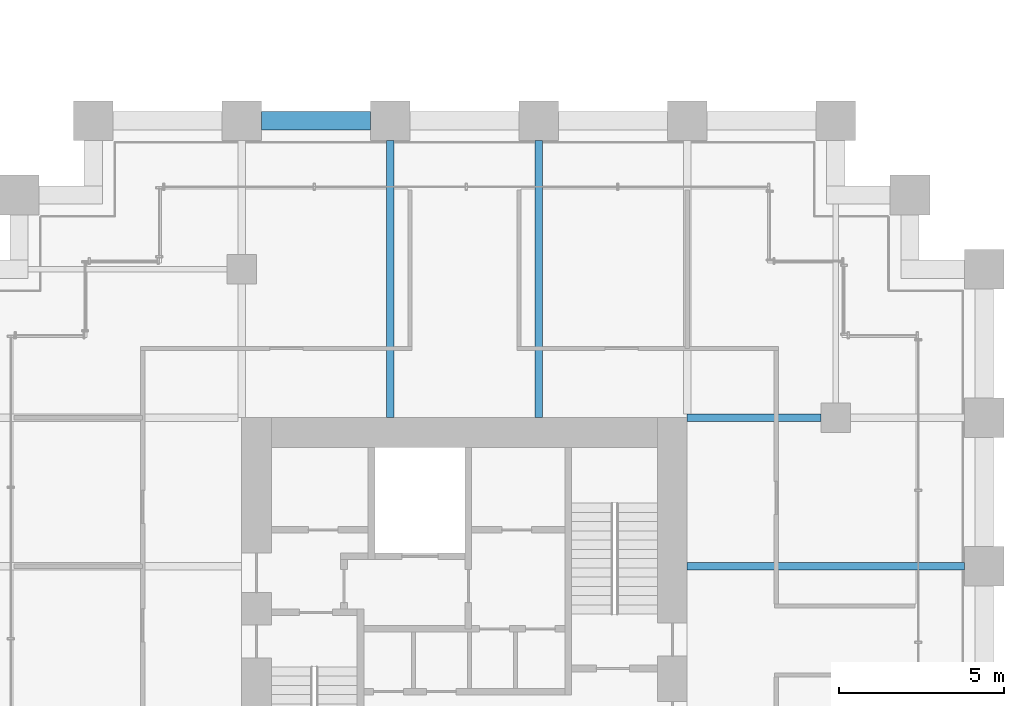
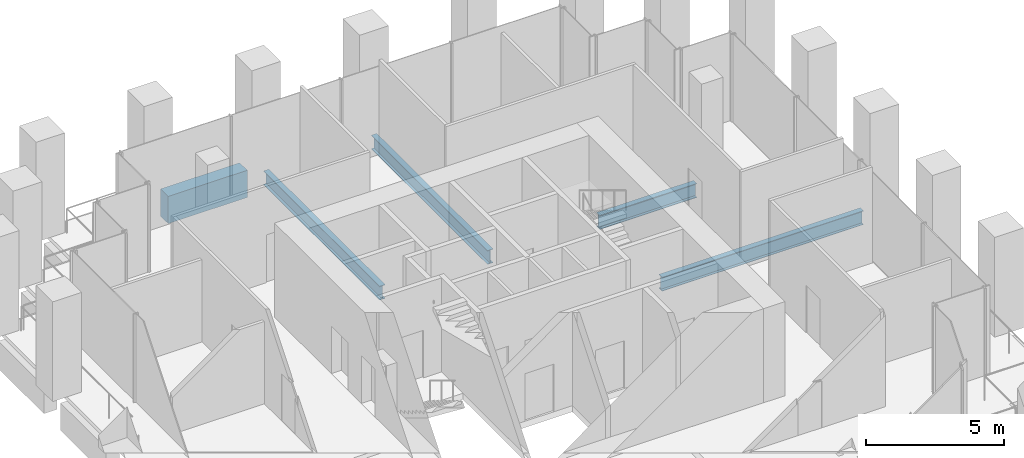
# One storey, part 24 of 36: 5 beams.
"""IFC4 building model written with IfcOpenShell, lengths in metres."""

from ifc_helpers import new_model, si_unit, direction, frame, origin, origin_2d, place, context, subcontext, project, spatial, rectangle, i_section, extrude, material, material_profile, profile_set, type_object, element, save


model = new_model("IFC4")

# Units and contexts
model_context = context("Model", 3, precision=1e-05, world=origin(), true_north=direction((0.0, 1.0)))
body_context = subcontext(model_context, "Body", "Model", "MODEL_VIEW")
ifc_project = project(units=[si_unit("LENGTHUNIT", "METRE"), si_unit("AREAUNIT", "SQUARE_METRE"), si_unit("VOLUMEUNIT", "CUBIC_METRE"), si_unit("PLANEANGLEUNIT", "RADIAN"), si_unit("MASSUNIT", "GRAM", prefix="KILO")], contexts=[model_context])

# Site, building, storey
site_placement = place(None, origin())
site = spatial("IfcSite", under=ifc_project, at=site_placement, CompositionType="ELEMENT")
building_placement = place(site_placement, origin())
building = spatial("IfcBuilding", under=site, at=building_placement, Name="Altepetl Exchange Towers", CompositionType="ELEMENT")
storey_placement = place(building_placement, frame((0.0, 0.0, 43.0)))
storey = spatial("IfcBuildingStorey", under=building, at=storey_placement, Name="L09", CompositionType="ELEMENT", Elevation=43.0)

# Beams
ifc_material_1 = material(Name="Steel S355", Category="steel")
ifc_material_profile_1 = material_profile(ifc_material_1, i_section(OverallWidth=0.22900390625, OverallDepth=0.612060546875, WebThickness=0.011962890625, FlangeThickness=0.01953125, at=origin_2d()), Name="W24X84")
ifc_profile_set_1 = profile_set([ifc_material_profile_1], Name="Steel S355")
beam_type_1 = type_object("IfcBeamType", Name="Floor beam W24X84", PredefinedType="BEAM", material=ifc_profile_set_1)
for number, where, z_axis, x_axis, name in (
    (1, (108.0, 49.5, -0.48095703125), (0.0, 1.0, 0.0), (-1.0, 0.0, 0.0), "bm:B:L09:000"),
    (2, (112.5, 49.5, -0.48095703125), (0.0, 1.0, 0.0), (-1.0, 0.0, 0.0), "bm:B:L09:001"),
    (3, (117.0, 45.0, -0.48095703125), (1.0, 0.0, 0.0), (0.0, 1.0, 0.0), "bm:B:L09:007"),
):
    element("IfcBeam", number, at=place(storey_placement, frame(where, z_axis=z_axis, x_axis=x_axis)), inside=storey, type_object=beam_type_1, Name=name, PredefinedType="BEAM", context=body_context, shape_type="SweptSolid", body=[
        extrude(i_section(OverallWidth=0.22900390625, OverallDepth=0.612060546875, WebThickness=0.011962890625, FlangeThickness=0.01953125, at=origin_2d()), origin(), (0.0, 0.0, 1.0), 8.39990234375),
    ])
ifc_material_profile_2 = material_profile(ifc_material_1, i_section(OverallWidth=0.22900390625, OverallDepth=0.623046875, WebThickness=0.013916015625, FlangeThickness=0.02490234375, at=origin_2d()), Name="W24X103")
ifc_profile_set_2 = profile_set([ifc_material_profile_2], Name="Steel S355")
beam_type_2 = type_object("IfcBeamType", Name="Girder W24X103", PredefinedType="BEAM", material=ifc_profile_set_2)
beam_1_placement = place(storey_placement, frame((117.0, 49.5, -0.486572265625), z_axis=(1.0, 0.0, 0.0), x_axis=(0.0, 1.0, 0.0)))
element("IfcBeam", 4, at=beam_1_placement, inside=storey, type_object=beam_type_2, Name="gd:B:L09:000", PredefinedType="BEAM", context=body_context, shape_type="SweptSolid", body=[
    extrude(i_section(OverallWidth=0.22900390625, OverallDepth=0.623046875, WebThickness=0.013916015625, FlangeThickness=0.02490234375, at=origin_2d()), origin(), (0.0, 0.0, 1.0), 4.050048828125),
])
ifc_material_2 = material(Name="Concrete C50/60 precast with cantera amarilla facing", Category="concrete")
ifc_material_profile_3 = material_profile(ifc_material_2, rectangle(XDim=0.550048828125, YDim=1.199951171875, at=origin_2d()), Name="550 x 1200")
ifc_profile_set_3 = profile_set([ifc_material_profile_3], Name="Concrete C50/60 precast with cantera amarilla facing")
beam_type_3 = type_object("IfcBeamType", Name="Spandrel beam 550x1200 cantera amarilla", PredefinedType="SPANDREL", material=ifc_profile_set_3)
beam_2_placement = place(storey_placement, frame((107.39990234375, 58.5, -0.77490234375), z_axis=(-1.0, 0.0, 0.0), x_axis=(0.0, -1.0, 0.0)))
element("IfcBeam", 5, at=beam_2_placement, inside=storey, type_object=beam_type_3, Name="sp:B:L09:021", PredefinedType="SPANDREL", context=body_context, shape_type="SweptSolid", body=[
    extrude(rectangle(XDim=0.550048828125, YDim=1.199951171875, at=origin_2d()), origin(), (0.0, 0.0, 1.0), 3.2998046875),
])

save(model, "model.ifc")
